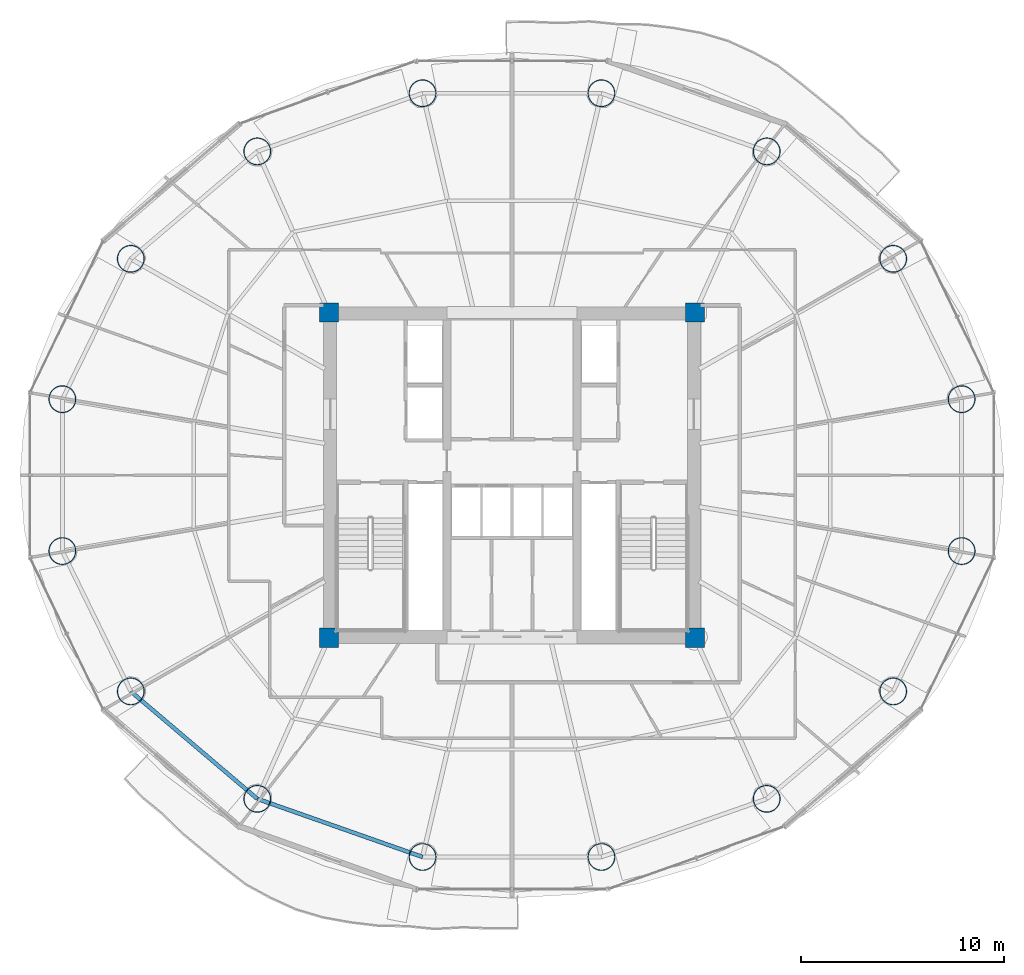
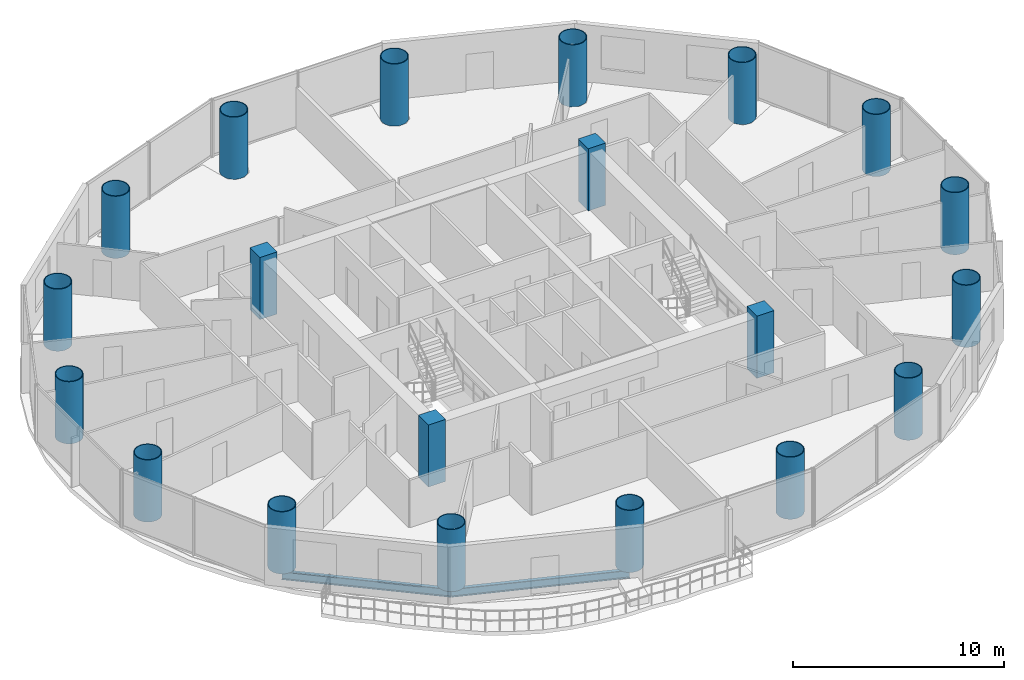
# One storey, part 1 of 26: 20 columns, 2 beams.
"""IFC4 building model written with IfcOpenShell, lengths in metres."""

from ifc_helpers import new_model, si_unit, direction, frame, origin, origin_2d, place, context, subcontext, project, spatial, rectangle, hollow_circle, i_section, extrude, material, material_profile, profile_set, type_object, element, save


model = new_model("IFC4")

# Units and contexts
model_context = context("Model", 3, precision=1e-05, world=origin(), true_north=direction((-0.2419218956, 0.970295726276)))
body_context = subcontext(model_context, "Body", "Model", "MODEL_VIEW")
ifc_project = project(units=[si_unit("LENGTHUNIT", "METRE"), si_unit("AREAUNIT", "SQUARE_METRE"), si_unit("VOLUMEUNIT", "CUBIC_METRE"), si_unit("PLANEANGLEUNIT", "RADIAN"), si_unit("MASSUNIT", "GRAM", prefix="KILO")], contexts=[model_context])

# Site, building, storey
site_placement = place(None, origin())
site = spatial("IfcSite", under=ifc_project, at=site_placement, CompositionType="ELEMENT")
building_placement = place(site_placement, origin())
building = spatial("IfcBuilding", under=site, at=building_placement, Name="Cobrevalo Terracotta Tower", CompositionType="ELEMENT")
storey_placement = place(building_placement, frame((0.0, 0.0, 167.800048828125)))
storey = spatial("IfcBuildingStorey", under=building, at=storey_placement, Name="L44", CompositionType="ELEMENT", Elevation=167.800048828125)

# Columns
ifc_material_1 = material(Name="Steel S355", Category="steel")
ifc_material_profile_1 = material_profile(ifc_material_1, hollow_circle(Radius=0.675048828125, WallThickness=0.0419921875, at=origin_2d()), Name="CHS 1350x42")
ifc_profile_set_1 = profile_set([ifc_material_profile_1], Name="Steel S355")
column_type_1 = type_object("IfcColumnType", Name="Structural Column CHS 1350x42 (Steel S355)", PredefinedType="COLUMN", material=ifc_profile_set_1)
for number, where, z_axis, x_axis, name in (
    (1, (60.11669921875, 30.535888671875, 0.0), (0.0, 0.0, 1.0), (1.0, 0.0, 0.0), "L44 composite megacolumn MC01"),
    (2, (56.749755859375, 37.439208984375, 0.0), (0.0, 0.0, 1.0), (1.0, 0.0, 0.0), "L44 composite megacolumn MC02"),
    (3, (50.528076171875, 42.72265625, 0.0), (0.0, 0.0, 1.0), (1.0, 0.0, 0.0), "L44 composite megacolumn MC03"),
    (4, (42.399169921875, 45.58203125, 0.0), (0.0, 0.0, 1.0), (1.0, 0.0, 0.0), "L44 composite megacolumn MC04"),
    (5, (33.600830078125, 45.58203125, 0.0), (0.0, 0.0, 1.0), (1.0, 0.0, 0.0), "L44 composite megacolumn MC05"),
    (6, (25.471923828125, 42.72265625, 0.0), (0.0, 0.0, 1.0), (1.0, 0.0, 0.0), "L44 composite megacolumn MC06"),
    (7, (19.250244140625, 37.439208984375, 0.0), (0.0, 0.0, 1.0), (1.0, 0.0, 0.0), "L44 composite megacolumn MC07"),
    (8, (15.88330078125, 30.535888671875, 0.0), (0.0, 0.0, 1.0), (1.0, 0.0, 0.0), "L44 composite megacolumn MC08"),
    (9, (15.88330078125, 23.06396484375, 0.0), (0.0, 0.0, 1.0), (1.0, 0.0, 0.0), "L44 composite megacolumn MC09"),
    (10, (19.250244140625, 16.160888671875, 0.0), (0.0, 0.0, 1.0), (1.0, 0.0, 0.0), "L44 composite megacolumn MC10"),
    (11, (25.471923828125, 10.87744140625, 0.0), (0.0, 0.0, 1.0), (1.0, 0.0, 0.0), "L44 composite megacolumn MC11"),
    (12, (33.600830078125, 8.01806640625, 0.0), (0.0, 0.0, 1.0), (1.0, 0.0, 0.0), "L44 composite megacolumn MC12"),
    (13, (42.399169921875, 8.01806640625, 0.0), (0.0, 0.0, 1.0), (1.0, 0.0, 0.0), "L44 composite megacolumn MC13"),
    (14, (50.528076171875, 10.87744140625, 0.0), (0.0, 0.0, 1.0), (1.0, 0.0, 0.0), "L44 composite megacolumn MC14"),
    (15, (56.749755859375, 16.160888671875, 0.0), (0.0, 0.0, 1.0), (1.0, 0.0, 0.0), "L44 composite megacolumn MC15"),
    (16, (60.11669921875, 23.06396484375, 0.0), (0.0, 0.0, 1.0), (1.0, 0.0, 0.0), "L44 composite megacolumn MC16"),
):
    element("IfcColumn", number, at=place(storey_placement, frame(where, z_axis=z_axis, x_axis=x_axis)), inside=storey, type_object=column_type_1, Name=name, PredefinedType="COLUMN", context=body_context, shape_type="SweptSolid", body=[
        extrude(hollow_circle(Radius=0.675048828125, WallThickness=0.0419921875, at=origin_2d()), origin(), (0.0, 0.0, 1.0), 3.599853515625),
    ])
ifc_material_2 = material(Name="Concrete C55", Category="concrete")
ifc_material_profile_2 = material_profile(ifc_material_2, rectangle(XDim=0.949951171875, YDim=0.949951171875, at=origin_2d()), Name="RC COL 950x950")
ifc_profile_set_2 = profile_set([ifc_material_profile_2], Name="Concrete C55")
column_type_2 = type_object("IfcColumnType", Name="Structural Column RC COL 950x950 (Concrete C55)", PredefinedType="COLUMN", material=ifc_profile_set_2)
for number, where, z_axis, x_axis, name in (
    (17, (29.0, 18.800048828125, 0.0), (0.0, 0.0, 1.0), (1.0, 0.0, 0.0), "L44 core corner column CC1"),
    (18, (47.0, 18.800048828125, 0.0), (0.0, 0.0, 1.0), (1.0, 0.0, 0.0), "L44 core corner column CC2"),
    (19, (47.0, 34.800048828125, 0.0), (0.0, 0.0, 1.0), (1.0, 0.0, 0.0), "L44 core corner column CC3"),
    (20, (29.0, 34.800048828125, 0.0), (0.0, 0.0, 1.0), (1.0, 0.0, 0.0), "L44 core corner column CC4"),
):
    element("IfcColumn", number, at=place(storey_placement, frame(where, z_axis=z_axis, x_axis=x_axis)), inside=storey, type_object=column_type_2, Name=name, PredefinedType="COLUMN", context=body_context, shape_type="SweptSolid", body=[
        extrude(rectangle(XDim=0.949951171875, YDim=0.949951171875, at=origin_2d()), origin(), (0.0, 0.0, 1.0), 3.599853515625),
    ])

# Beams
ifc_material_profile_3 = material_profile(ifc_material_1, i_section(OverallWidth=0.194091796875, OverallDepth=0.468994140625, WebThickness=0.011474609375, FlangeThickness=0.0205078125, at=origin_2d()), Name="W 460x106")
ifc_profile_set_3 = profile_set([ifc_material_profile_3], Name="Steel S355")
beam_type = type_object("IfcBeamType", Name="Structural Spandrel W 460x106 (Steel S355)", PredefinedType="SPANDREL", material=ifc_profile_set_3)
beam_1_placement = place(storey_placement, frame((19.250244140625, 16.160888671875, -0.504638671875), z_axis=(0.762240337798, -0.647294112003, 0.0), x_axis=(0.647294112003, 0.762240337798, 0.0)))
element("IfcBeam", 21, at=beam_1_placement, inside=storey, type_object=beam_type, Name="L44 perimeter ring spandrel 10", PredefinedType="SPANDREL", context=body_context, shape_type="SweptSolid", body=[
    extrude(i_section(OverallWidth=0.194091796875, OverallDepth=0.468994140625, WebThickness=0.011474609375, FlangeThickness=0.0205078125, at=origin_2d()), origin(), (0.0, 0.0, 1.0), 8.162353515625),
])
beam_2_placement = place(storey_placement, frame((25.471923828125, 10.87744140625, -0.504638671875), z_axis=(0.943341298492, -0.331824041565, 0.0), x_axis=(0.331824041565, 0.943341298492, 0.0)))
element("IfcBeam", 22, at=beam_2_placement, inside=storey, type_object=beam_type, Name="L44 perimeter ring spandrel 11", PredefinedType="SPANDREL", context=body_context, shape_type="SweptSolid", body=[
    extrude(i_section(OverallWidth=0.194091796875, OverallDepth=0.468994140625, WebThickness=0.011474609375, FlangeThickness=0.0205078125, at=origin_2d()), origin(), (0.0, 0.0, 1.0), 8.6171875),
])

save(model, "model.ifc")
